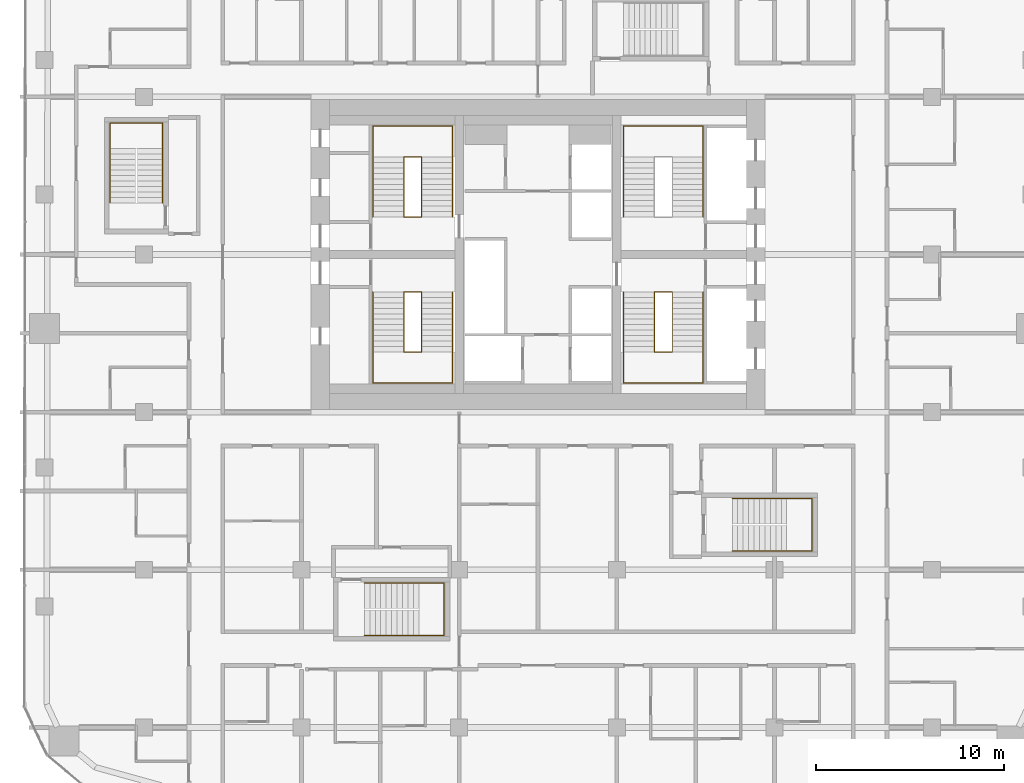
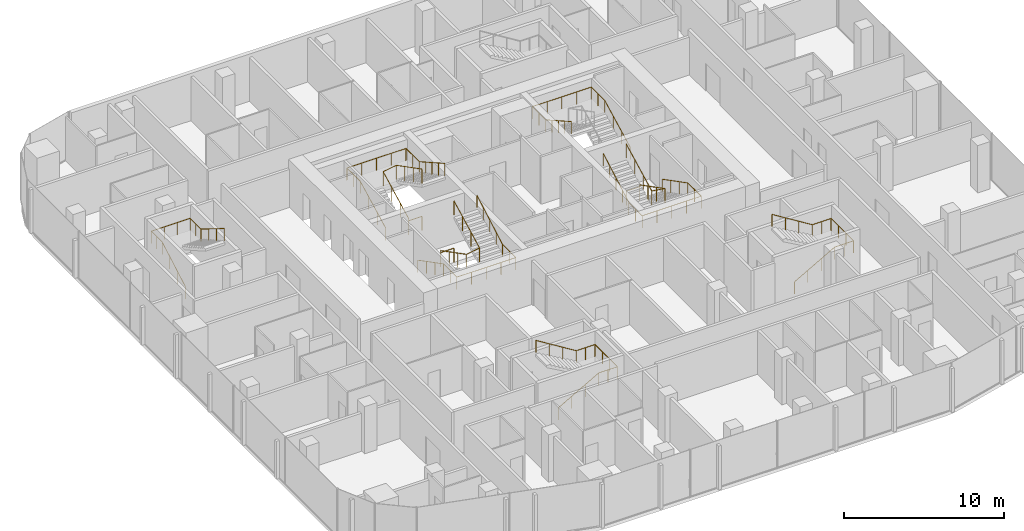
# One storey, part 22 of 23: 10 railings.
"""IFC4 building model written with IfcOpenShell, lengths in metres."""

from ifc_helpers import new_model, si_unit, direction, frame, origin, origin_2d, place, context, subcontext, project, spatial, circle, extrude, material, type_object, element, save


model = new_model("IFC4")

# Units and contexts
model_context = context("Model", 3, precision=1e-05, world=origin(), true_north=direction((0.0, 1.0)))
body_context = subcontext(model_context, "Body", "Model", "MODEL_VIEW")
ifc_project = project(units=[si_unit("LENGTHUNIT", "METRE"), si_unit("AREAUNIT", "SQUARE_METRE"), si_unit("VOLUMEUNIT", "CUBIC_METRE"), si_unit("PLANEANGLEUNIT", "RADIAN"), si_unit("MASSUNIT", "GRAM", prefix="KILO")], contexts=[model_context])

# Site, building, storey
site_placement = place(None, origin())
site = spatial("IfcSite", under=ifc_project, at=site_placement, CompositionType="ELEMENT")
building_placement = place(site_placement, origin())
building = spatial("IfcBuilding", under=site, at=building_placement, Name="Marenta Gate Hotel Tower", CompositionType="ELEMENT")
storey_placement = place(building_placement, frame((0.0, 0.0, 119.300048828125)))
storey = spatial("IfcBuildingStorey", under=building, at=storey_placement, Name="L26", CompositionType="ELEMENT", Elevation=119.300048828125)

# Railings
ifc_material_1 = material(Name="Stainless steel", Category="steel")
railing_type_1 = type_object("IfcRailingType", Name="Core stair handrail 950", PredefinedType="HANDRAIL", material=ifc_material_1)
railing_1_placement = place(storey_placement, frame((-8.800048828125, 6.39990234375, 0.14990234375)))
element("IfcRailing", 1, at=railing_1_placement, inside=storey, type_object=railing_type_1, Name="HR-950 L26-KR-ST1-1", PredefinedType="HANDRAIL", context=body_context, shape_type="SweptSolid", body=[
    extrude(circle(Radius=0.02392578125, at=origin_2d()), frame((0.0, 0.0, 0.92578125), z_axis=(0.0, -0.888197555067, 0.459461753765), x_axis=(1.0, 0.0, 0.0)), (0.0, 0.0, 1.0), 3.591552734375),
    extrude(circle(Radius=0.02392578125, at=origin_2d()), frame((0.0, -3.18994140625, 2.576171875), z_axis=(0.0, -1.0, 0.0), x_axis=(1.0, 0.0, 0.0)), (0.0, 0.0, 1.0), 1.659912109375),
    extrude(circle(Radius=0.02392578125, at=origin_2d()), frame((0.0, -4.849853515625, 2.576171875), z_axis=(1.0, 0.0, 0.0), x_axis=(0.0, 1.0, 0.0)), (0.0, 0.0, 1.0), 4.25),
    extrude(circle(Radius=0.02392578125, at=origin_2d()), frame((4.25, -4.849853515625, 2.576171875), z_axis=(0.0, 1.0, 0.0), x_axis=(-1.0, 0.0, 0.0)), (0.0, 0.0, 1.0), 1.659912109375),
    extrude(circle(Radius=0.02392578125, at=origin_2d()), frame((4.25, -3.18994140625, 2.576171875), z_axis=(0.0, 0.870937506535, 0.491393792911), x_axis=(-1.0, 0.0, 0.0)), (0.0, 0.0, 1.0), 3.66259765625),
    extrude(circle(Radius=0.02099609375, at=origin_2d()), origin(), (0.0, 0.0, 1.0), 0.90185546875),
    extrude(circle(Radius=0.02099609375, at=origin_2d()), frame((0.0, -1.063232421875, 0.550048828125)), (0.0, 0.0, 1.0), 0.90185546875),
    extrude(circle(Radius=0.02099609375, at=origin_2d()), frame((0.0, -2.126708984375, 1.10009765625)), (0.0, 0.0, 1.0), 0.90185546875),
    extrude(circle(Radius=0.02099609375, at=origin_2d()), frame((0.0, -3.18994140625, 1.650146484375)), (0.0, 0.0, 1.0), 0.90185546875),
    extrude(circle(Radius=0.02099609375, at=origin_2d()), frame((0.0, -4.02001953125, 1.650146484375)), (0.0, 0.0, 1.0), 0.90185546875),
    extrude(circle(Radius=0.02099609375, at=origin_2d()), frame((0.0, -4.849853515625, 1.650146484375)), (0.0, 0.0, 1.0), 0.90185546875),
    extrude(circle(Radius=0.02099609375, at=origin_2d()), frame((1.0625, -4.849853515625, 1.650146484375)), (0.0, 0.0, 1.0), 0.90185546875),
    extrude(circle(Radius=0.02099609375, at=origin_2d()), frame((2.125, -4.849853515625, 1.650146484375)), (0.0, 0.0, 1.0), 0.90185546875),
    extrude(circle(Radius=0.02099609375, at=origin_2d()), frame((3.1875, -4.849853515625, 1.650146484375)), (0.0, 0.0, 1.0), 0.90185546875),
    extrude(circle(Radius=0.02099609375, at=origin_2d()), frame((4.25, -4.849853515625, 1.650146484375)), (0.0, 0.0, 1.0), 0.90185546875),
    extrude(circle(Radius=0.02099609375, at=origin_2d()), frame((4.25, -4.02001953125, 1.650146484375)), (0.0, 0.0, 1.0), 0.90185546875),
    extrude(circle(Radius=0.02099609375, at=origin_2d()), frame((4.25, -3.18994140625, 1.650146484375)), (0.0, 0.0, 1.0), 0.90185546875),
    extrude(circle(Radius=0.02099609375, at=origin_2d()), frame((4.25, -2.392578125, 2.10009765625)), (0.0, 0.0, 1.0), 0.90185546875),
    extrude(circle(Radius=0.02099609375, at=origin_2d()), frame((4.25, -1.594970703125, 2.550048828125)), (0.0, 0.0, 1.0), 0.90185546875),
    extrude(circle(Radius=0.02099609375, at=origin_2d()), frame((4.25, -0.79736328125, 3.0)), (0.0, 0.0, 1.0), 0.90185546875),
    extrude(circle(Radius=0.02099609375, at=origin_2d()), frame((4.25, 0.0, 3.449951171875)), (0.0, 0.0, 1.0), 0.90185546875),
])
railing_2_placement = place(storey_placement, frame((-8.800048828125, 10.39990234375, 0.14990234375)))
element("IfcRailing", 2, at=railing_2_placement, inside=storey, type_object=railing_type_1, Name="HR-950 L26-KR-ST2-1", PredefinedType="HANDRAIL", context=body_context, shape_type="SweptSolid", body=[
    extrude(circle(Radius=0.02392578125, at=origin_2d()), frame((0.0, 0.0, 0.92578125), z_axis=(0.0, 0.888211904222, 0.459434013977), x_axis=(-1.0, 0.0, 0.0)), (0.0, 0.0, 1.0), 3.591796875),
    extrude(circle(Radius=0.02392578125, at=origin_2d()), frame((0.0, 3.190185546875, 2.576171875), z_axis=(0.0, 1.0, 0.0), x_axis=(-1.0, 0.0, 0.0)), (0.0, 0.0, 1.0), 1.659912109375),
    extrude(circle(Radius=0.02392578125, at=origin_2d()), frame((0.0, 4.85009765625, 2.576171875), z_axis=(1.0, 0.0, 0.0), x_axis=(0.0, 1.0, 0.0)), (0.0, 0.0, 1.0), 4.25),
    extrude(circle(Radius=0.02392578125, at=origin_2d()), frame((4.25, 4.85009765625, 2.576171875), z_axis=(0.0, -1.0, 0.0), x_axis=(1.0, 0.0, 0.0)), (0.0, 0.0, 1.0), 1.659912109375),
    extrude(circle(Radius=0.02392578125, at=origin_2d()), frame((4.25, 3.190185546875, 2.576171875), z_axis=(0.0, -0.870953600603, 0.491365266982), x_axis=(1.0, 0.0, 0.0)), (0.0, 0.0, 1.0), 3.662841796875),
    extrude(circle(Radius=0.02099609375, at=origin_2d()), origin(), (0.0, 0.0, 1.0), 0.90185546875),
    extrude(circle(Radius=0.02099609375, at=origin_2d()), frame((0.0, 1.0634765625, 0.550048828125)), (0.0, 0.0, 1.0), 0.90185546875),
    extrude(circle(Radius=0.02099609375, at=origin_2d()), frame((0.0, 2.126708984375, 1.10009765625)), (0.0, 0.0, 1.0), 0.90185546875),
    extrude(circle(Radius=0.02099609375, at=origin_2d()), frame((0.0, 3.190185546875, 1.650146484375)), (0.0, 0.0, 1.0), 0.90185546875),
    extrude(circle(Radius=0.02099609375, at=origin_2d()), frame((0.0, 4.02001953125, 1.650146484375)), (0.0, 0.0, 1.0), 0.90185546875),
    extrude(circle(Radius=0.02099609375, at=origin_2d()), frame((0.0, 4.85009765625, 1.650146484375)), (0.0, 0.0, 1.0), 0.90185546875),
    extrude(circle(Radius=0.02099609375, at=origin_2d()), frame((1.0625, 4.85009765625, 1.650146484375)), (0.0, 0.0, 1.0), 0.90185546875),
    extrude(circle(Radius=0.02099609375, at=origin_2d()), frame((2.125, 4.85009765625, 1.650146484375)), (0.0, 0.0, 1.0), 0.90185546875),
    extrude(circle(Radius=0.02099609375, at=origin_2d()), frame((3.1875, 4.85009765625, 1.650146484375)), (0.0, 0.0, 1.0), 0.90185546875),
    extrude(circle(Radius=0.02099609375, at=origin_2d()), frame((4.25, 4.85009765625, 1.650146484375)), (0.0, 0.0, 1.0), 0.90185546875),
    extrude(circle(Radius=0.02099609375, at=origin_2d()), frame((4.25, 4.02001953125, 1.650146484375)), (0.0, 0.0, 1.0), 0.90185546875),
    extrude(circle(Radius=0.02099609375, at=origin_2d()), frame((4.25, 3.190185546875, 1.650146484375)), (0.0, 0.0, 1.0), 0.90185546875),
    extrude(circle(Radius=0.02099609375, at=origin_2d()), frame((4.25, 2.392578125, 2.10009765625)), (0.0, 0.0, 1.0), 0.90185546875),
    extrude(circle(Radius=0.02099609375, at=origin_2d()), frame((4.25, 1.59521484375, 2.550048828125)), (0.0, 0.0, 1.0), 0.90185546875),
    extrude(circle(Radius=0.02099609375, at=origin_2d()), frame((4.25, 0.797607421875, 3.0)), (0.0, 0.0, 1.0), 0.90185546875),
    extrude(circle(Radius=0.02099609375, at=origin_2d()), frame((4.25, 0.0, 3.449951171875)), (0.0, 0.0, 1.0), 0.90185546875),
])
railing_3_placement = place(storey_placement, frame((8.800048828125, 6.39990234375, 0.14990234375)))
element("IfcRailing", 3, at=railing_3_placement, inside=storey, type_object=railing_type_1, Name="HR-950 L26-KR-ST3-1", PredefinedType="HANDRAIL", context=body_context, shape_type="SweptSolid", body=[
    extrude(circle(Radius=0.02392578125, at=origin_2d()), frame((0.0, 0.0, 0.92578125), z_axis=(0.0, -0.888197555067, 0.459461753765), x_axis=(1.0, 0.0, 0.0)), (0.0, 0.0, 1.0), 3.591552734375),
    extrude(circle(Radius=0.02392578125, at=origin_2d()), frame((0.0, -3.18994140625, 2.576171875), z_axis=(0.0, -1.0, 0.0), x_axis=(1.0, 0.0, 0.0)), (0.0, 0.0, 1.0), 1.659912109375),
    extrude(circle(Radius=0.02392578125, at=origin_2d()), frame((0.0, -4.849853515625, 2.576171875), z_axis=(-1.0, 0.0, 0.0), x_axis=(0.0, -1.0, 0.0)), (0.0, 0.0, 1.0), 4.25),
    extrude(circle(Radius=0.02392578125, at=origin_2d()), frame((-4.25, -4.849853515625, 2.576171875), z_axis=(0.0, 1.0, 0.0), x_axis=(-1.0, 0.0, 0.0)), (0.0, 0.0, 1.0), 1.659912109375),
    extrude(circle(Radius=0.02392578125, at=origin_2d()), frame((-4.25, -3.18994140625, 2.576171875), z_axis=(0.0, 0.870937506535, 0.491393792911), x_axis=(-1.0, 0.0, 0.0)), (0.0, 0.0, 1.0), 3.66259765625),
    extrude(circle(Radius=0.02099609375, at=origin_2d()), origin(), (0.0, 0.0, 1.0), 0.90185546875),
    extrude(circle(Radius=0.02099609375, at=origin_2d()), frame((0.0, -1.063232421875, 0.550048828125)), (0.0, 0.0, 1.0), 0.90185546875),
    extrude(circle(Radius=0.02099609375, at=origin_2d()), frame((0.0, -2.126708984375, 1.10009765625)), (0.0, 0.0, 1.0), 0.90185546875),
    extrude(circle(Radius=0.02099609375, at=origin_2d()), frame((0.0, -3.18994140625, 1.650146484375)), (0.0, 0.0, 1.0), 0.90185546875),
    extrude(circle(Radius=0.02099609375, at=origin_2d()), frame((0.0, -4.02001953125, 1.650146484375)), (0.0, 0.0, 1.0), 0.90185546875),
    extrude(circle(Radius=0.02099609375, at=origin_2d()), frame((0.0, -4.849853515625, 1.650146484375)), (0.0, 0.0, 1.0), 0.90185546875),
    extrude(circle(Radius=0.02099609375, at=origin_2d()), frame((-1.0625, -4.849853515625, 1.650146484375)), (0.0, 0.0, 1.0), 0.90185546875),
    extrude(circle(Radius=0.02099609375, at=origin_2d()), frame((-2.125, -4.849853515625, 1.650146484375)), (0.0, 0.0, 1.0), 0.90185546875),
    extrude(circle(Radius=0.02099609375, at=origin_2d()), frame((-3.1875, -4.849853515625, 1.650146484375)), (0.0, 0.0, 1.0), 0.90185546875),
    extrude(circle(Radius=0.02099609375, at=origin_2d()), frame((-4.25, -4.849853515625, 1.650146484375)), (0.0, 0.0, 1.0), 0.90185546875),
    extrude(circle(Radius=0.02099609375, at=origin_2d()), frame((-4.25, -4.02001953125, 1.650146484375)), (0.0, 0.0, 1.0), 0.90185546875),
    extrude(circle(Radius=0.02099609375, at=origin_2d()), frame((-4.25, -3.18994140625, 1.650146484375)), (0.0, 0.0, 1.0), 0.90185546875),
    extrude(circle(Radius=0.02099609375, at=origin_2d()), frame((-4.25, -2.392578125, 2.10009765625)), (0.0, 0.0, 1.0), 0.90185546875),
    extrude(circle(Radius=0.02099609375, at=origin_2d()), frame((-4.25, -1.594970703125, 2.550048828125)), (0.0, 0.0, 1.0), 0.90185546875),
    extrude(circle(Radius=0.02099609375, at=origin_2d()), frame((-4.25, -0.79736328125, 3.0)), (0.0, 0.0, 1.0), 0.90185546875),
    extrude(circle(Radius=0.02099609375, at=origin_2d()), frame((-4.25, 0.0, 3.449951171875)), (0.0, 0.0, 1.0), 0.90185546875),
])
railing_4_placement = place(storey_placement, frame((8.800048828125, 10.39990234375, 0.14990234375)))
element("IfcRailing", 4, at=railing_4_placement, inside=storey, type_object=railing_type_1, Name="HR-950 L26-KR-ST4-1", PredefinedType="HANDRAIL", context=body_context, shape_type="SweptSolid", body=[
    extrude(circle(Radius=0.02392578125, at=origin_2d()), frame((0.0, 0.0, 0.92578125), z_axis=(0.0, 0.888211904222, 0.459434013977), x_axis=(-1.0, 0.0, 0.0)), (0.0, 0.0, 1.0), 3.591796875),
    extrude(circle(Radius=0.02392578125, at=origin_2d()), frame((0.0, 3.190185546875, 2.576171875), z_axis=(0.0, 1.0, 0.0), x_axis=(-1.0, 0.0, 0.0)), (0.0, 0.0, 1.0), 1.659912109375),
    extrude(circle(Radius=0.02392578125, at=origin_2d()), frame((0.0, 4.85009765625, 2.576171875), z_axis=(-1.0, 0.0, 0.0), x_axis=(0.0, -1.0, 0.0)), (0.0, 0.0, 1.0), 4.25),
    extrude(circle(Radius=0.02392578125, at=origin_2d()), frame((-4.25, 4.85009765625, 2.576171875), z_axis=(0.0, -1.0, 0.0), x_axis=(1.0, 0.0, 0.0)), (0.0, 0.0, 1.0), 1.659912109375),
    extrude(circle(Radius=0.02392578125, at=origin_2d()), frame((-4.25, 3.190185546875, 2.576171875), z_axis=(0.0, -0.870953600603, 0.491365266982), x_axis=(1.0, 0.0, 0.0)), (0.0, 0.0, 1.0), 3.662841796875),
    extrude(circle(Radius=0.02099609375, at=origin_2d()), origin(), (0.0, 0.0, 1.0), 0.90185546875),
    extrude(circle(Radius=0.02099609375, at=origin_2d()), frame((0.0, 1.0634765625, 0.550048828125)), (0.0, 0.0, 1.0), 0.90185546875),
    extrude(circle(Radius=0.02099609375, at=origin_2d()), frame((0.0, 2.126708984375, 1.10009765625)), (0.0, 0.0, 1.0), 0.90185546875),
    extrude(circle(Radius=0.02099609375, at=origin_2d()), frame((0.0, 3.190185546875, 1.650146484375)), (0.0, 0.0, 1.0), 0.90185546875),
    extrude(circle(Radius=0.02099609375, at=origin_2d()), frame((0.0, 4.02001953125, 1.650146484375)), (0.0, 0.0, 1.0), 0.90185546875),
    extrude(circle(Radius=0.02099609375, at=origin_2d()), frame((0.0, 4.85009765625, 1.650146484375)), (0.0, 0.0, 1.0), 0.90185546875),
    extrude(circle(Radius=0.02099609375, at=origin_2d()), frame((-1.0625, 4.85009765625, 1.650146484375)), (0.0, 0.0, 1.0), 0.90185546875),
    extrude(circle(Radius=0.02099609375, at=origin_2d()), frame((-2.125, 4.85009765625, 1.650146484375)), (0.0, 0.0, 1.0), 0.90185546875),
    extrude(circle(Radius=0.02099609375, at=origin_2d()), frame((-3.1875, 4.85009765625, 1.650146484375)), (0.0, 0.0, 1.0), 0.90185546875),
    extrude(circle(Radius=0.02099609375, at=origin_2d()), frame((-4.25, 4.85009765625, 1.650146484375)), (0.0, 0.0, 1.0), 0.90185546875),
    extrude(circle(Radius=0.02099609375, at=origin_2d()), frame((-4.25, 4.02001953125, 1.650146484375)), (0.0, 0.0, 1.0), 0.90185546875),
    extrude(circle(Radius=0.02099609375, at=origin_2d()), frame((-4.25, 3.190185546875, 1.650146484375)), (0.0, 0.0, 1.0), 0.90185546875),
    extrude(circle(Radius=0.02099609375, at=origin_2d()), frame((-4.25, 2.392578125, 2.10009765625)), (0.0, 0.0, 1.0), 0.90185546875),
    extrude(circle(Radius=0.02099609375, at=origin_2d()), frame((-4.25, 1.59521484375, 2.550048828125)), (0.0, 0.0, 1.0), 0.90185546875),
    extrude(circle(Radius=0.02099609375, at=origin_2d()), frame((-4.25, 0.797607421875, 3.0)), (0.0, 0.0, 1.0), 0.90185546875),
    extrude(circle(Radius=0.02099609375, at=origin_2d()), frame((-4.25, 0.0, 3.449951171875)), (0.0, 0.0, 1.0), 0.90185546875),
])
railing_5_placement = place(storey_placement, frame((-22.800048828125, 11.14990234375, 0.16357421875)))
element("IfcRailing", 5, at=railing_5_placement, inside=storey, type_object=railing_type_1, Name="HR-950 L26-RS-Z1-3-KR-1", PredefinedType="HANDRAIL", context=body_context, shape_type="SweptSolid", body=[
    extrude(circle(Radius=0.02392578125, at=origin_2d()), frame((0.0, 0.0, 0.92578125), z_axis=(0.0, 0.870914908162, 0.491433843708), x_axis=(-1.0, 0.0, 0.0)), (0.0, 0.0, 1.0), 3.330078125),
    extrude(circle(Radius=0.02392578125, at=origin_2d()), frame((0.0, 2.900146484375, 2.5625), z_axis=(0.0, 1.0, 0.0), x_axis=(-1.0, 0.0, 0.0)), (0.0, 0.0, 1.0), 1.349853515625),
    extrude(circle(Radius=0.02392578125, at=origin_2d()), frame((0.0, 4.25, 2.5625), z_axis=(1.0, 0.0, 0.0), x_axis=(0.0, 1.0, 0.0)), (0.0, 0.0, 1.0), 2.800048828125),
    extrude(circle(Radius=0.02392578125, at=origin_2d()), frame((2.800048828125, 4.25, 2.5625), z_axis=(0.0, -1.0, 0.0), x_axis=(1.0, 0.0, 0.0)), (0.0, 0.0, 1.0), 1.349853515625),
    extrude(circle(Radius=0.02392578125, at=origin_2d()), frame((2.800048828125, 2.900146484375, 2.5625), z_axis=(0.0, -0.849677739116, 0.527302322819), x_axis=(1.0, 0.0, 0.0)), (0.0, 0.0, 1.0), 3.413330078125),
    extrude(circle(Radius=0.02099609375, at=origin_2d()), origin(), (0.0, 0.0, 1.0), 0.90185546875),
    extrude(circle(Radius=0.02099609375, at=origin_2d()), frame((0.0, 0.966796875, 0.54541015625)), (0.0, 0.0, 1.0), 0.90185546875),
    extrude(circle(Radius=0.02099609375, at=origin_2d()), frame((0.0, 1.933349609375, 1.091064453125)), (0.0, 0.0, 1.0), 0.90185546875),
    extrude(circle(Radius=0.02099609375, at=origin_2d()), frame((0.0, 2.900146484375, 1.636474609375)), (0.0, 0.0, 1.0), 0.90185546875),
    extrude(circle(Radius=0.02099609375, at=origin_2d()), frame((0.0, 3.5751953125, 1.636474609375)), (0.0, 0.0, 1.0), 0.90185546875),
    extrude(circle(Radius=0.02099609375, at=origin_2d()), frame((0.0, 4.25, 1.636474609375)), (0.0, 0.0, 1.0), 0.90185546875),
    extrude(circle(Radius=0.02099609375, at=origin_2d()), frame((0.933349609375, 4.25, 1.636474609375)), (0.0, 0.0, 1.0), 0.90185546875),
    extrude(circle(Radius=0.02099609375, at=origin_2d()), frame((1.86669921875, 4.25, 1.636474609375)), (0.0, 0.0, 1.0), 0.90185546875),
    extrude(circle(Radius=0.02099609375, at=origin_2d()), frame((2.800048828125, 4.25, 1.636474609375)), (0.0, 0.0, 1.0), 0.90185546875),
    extrude(circle(Radius=0.02099609375, at=origin_2d()), frame((2.800048828125, 3.5751953125, 1.636474609375)), (0.0, 0.0, 1.0), 0.90185546875),
    extrude(circle(Radius=0.02099609375, at=origin_2d()), frame((2.800048828125, 2.900146484375, 1.636474609375)), (0.0, 0.0, 1.0), 0.90185546875),
    extrude(circle(Radius=0.02099609375, at=origin_2d()), frame((2.800048828125, 1.933349609375, 2.236328125)), (0.0, 0.0, 1.0), 0.90185546875),
    extrude(circle(Radius=0.02099609375, at=origin_2d()), frame((2.800048828125, 0.966796875, 2.83642578125)), (0.0, 0.0, 1.0), 0.90185546875),
    extrude(circle(Radius=0.02099609375, at=origin_2d()), frame((2.800048828125, 0.0, 3.436279296875)), (0.0, 0.0, 1.0), 0.90185546875),
])
railing_6_placement = place(storey_placement, frame((-9.25, -11.89990234375, 0.16357421875)))
element("IfcRailing", 6, at=railing_6_placement, inside=storey, type_object=railing_type_1, Name="HR-950 L26-RS-Z2-1-KR-1", PredefinedType="HANDRAIL", context=body_context, shape_type="SweptSolid", body=[
    extrude(circle(Radius=0.02392578125, at=origin_2d()), frame((0.0, 0.0, 0.92578125), z_axis=(0.870897200241, 0.0, 0.491465224214), x_axis=(0.0, 1.0, 0.0)), (0.0, 0.0, 1.0), 3.329833984375),
    extrude(circle(Radius=0.02392578125, at=origin_2d()), frame((2.89990234375, 0.0, 2.5625), z_axis=(1.0, 0.0, 0.0), x_axis=(0.0, 1.0, 0.0)), (0.0, 0.0, 1.0), 1.35009765625),
    extrude(circle(Radius=0.02392578125, at=origin_2d()), frame((4.25, 0.0, 2.5625), z_axis=(0.0, 1.0, 0.0), x_axis=(-1.0, 0.0, 0.0)), (0.0, 0.0, 1.0), 2.7998046875),
    extrude(circle(Radius=0.02392578125, at=origin_2d()), frame((4.25, 2.7998046875, 2.5625), z_axis=(-1.0, 0.0, 0.0), x_axis=(0.0, -1.0, 0.0)), (0.0, 0.0, 1.0), 1.35009765625),
    extrude(circle(Radius=0.02392578125, at=origin_2d()), frame((2.89990234375, 2.7998046875, 2.5625), z_axis=(-0.849657849183, 0.0, 0.527334371458), x_axis=(0.0, -1.0, 0.0)), (0.0, 0.0, 1.0), 3.4130859375),
    extrude(circle(Radius=0.02099609375, at=origin_2d()), origin(), (0.0, 0.0, 1.0), 0.90185546875),
    extrude(circle(Radius=0.02099609375, at=origin_2d()), frame((0.966552734375, 0.0, 0.54541015625)), (0.0, 0.0, 1.0), 0.90185546875),
    extrude(circle(Radius=0.02099609375, at=origin_2d()), frame((1.933349609375, 0.0, 1.091064453125)), (0.0, 0.0, 1.0), 0.90185546875),
    extrude(circle(Radius=0.02099609375, at=origin_2d()), frame((2.89990234375, 0.0, 1.636474609375)), (0.0, 0.0, 1.0), 0.90185546875),
    extrude(circle(Radius=0.02099609375, at=origin_2d()), frame((3.574951171875, 0.0, 1.636474609375)), (0.0, 0.0, 1.0), 0.90185546875),
    extrude(circle(Radius=0.02099609375, at=origin_2d()), frame((4.25, 0.0, 1.636474609375)), (0.0, 0.0, 1.0), 0.90185546875),
    extrude(circle(Radius=0.02099609375, at=origin_2d()), frame((4.25, 0.933349609375, 1.636474609375)), (0.0, 0.0, 1.0), 0.90185546875),
    extrude(circle(Radius=0.02099609375, at=origin_2d()), frame((4.25, 1.866455078125, 1.636474609375)), (0.0, 0.0, 1.0), 0.90185546875),
    extrude(circle(Radius=0.02099609375, at=origin_2d()), frame((4.25, 2.7998046875, 1.636474609375)), (0.0, 0.0, 1.0), 0.90185546875),
    extrude(circle(Radius=0.02099609375, at=origin_2d()), frame((3.574951171875, 2.7998046875, 1.636474609375)), (0.0, 0.0, 1.0), 0.90185546875),
    extrude(circle(Radius=0.02099609375, at=origin_2d()), frame((2.89990234375, 2.7998046875, 1.636474609375)), (0.0, 0.0, 1.0), 0.90185546875),
    extrude(circle(Radius=0.02099609375, at=origin_2d()), frame((1.933349609375, 2.7998046875, 2.236328125)), (0.0, 0.0, 1.0), 0.90185546875),
    extrude(circle(Radius=0.02099609375, at=origin_2d()), frame((0.966552734375, 2.7998046875, 2.83642578125)), (0.0, 0.0, 1.0), 0.90185546875),
    extrude(circle(Radius=0.02099609375, at=origin_2d()), frame((0.0, 2.7998046875, 3.436279296875)), (0.0, 0.0, 1.0), 0.90185546875),
])
railing_7_placement = place(storey_placement, frame((10.35009765625, -7.39990234375, 0.16357421875)))
element("IfcRailing", 7, at=railing_7_placement, inside=storey, type_object=railing_type_1, Name="HR-950 L26-RS-Z2-2-KR-1", PredefinedType="HANDRAIL", context=body_context, shape_type="SweptSolid", body=[
    extrude(circle(Radius=0.02392578125, at=origin_2d()), frame((0.0, 0.0, 0.92578125), z_axis=(0.870897200241, 0.0, 0.491465224214), x_axis=(0.0, 1.0, 0.0)), (0.0, 0.0, 1.0), 3.329833984375),
    extrude(circle(Radius=0.02392578125, at=origin_2d()), frame((2.89990234375, 0.0, 2.5625), z_axis=(1.0, 0.0, 0.0), x_axis=(0.0, 1.0, 0.0)), (0.0, 0.0, 1.0), 1.35009765625),
    extrude(circle(Radius=0.02392578125, at=origin_2d()), frame((4.25, 0.0, 2.5625), z_axis=(0.0, 1.0, 0.0), x_axis=(-1.0, 0.0, 0.0)), (0.0, 0.0, 1.0), 2.7998046875),
    extrude(circle(Radius=0.02392578125, at=origin_2d()), frame((4.25, 2.7998046875, 2.5625), z_axis=(-1.0, 0.0, 0.0), x_axis=(0.0, -1.0, 0.0)), (0.0, 0.0, 1.0), 1.35009765625),
    extrude(circle(Radius=0.02392578125, at=origin_2d()), frame((2.89990234375, 2.7998046875, 2.5625), z_axis=(-0.849657849183, 0.0, 0.527334371458), x_axis=(0.0, -1.0, 0.0)), (0.0, 0.0, 1.0), 3.4130859375),
    extrude(circle(Radius=0.02099609375, at=origin_2d()), origin(), (0.0, 0.0, 1.0), 0.90185546875),
    extrude(circle(Radius=0.02099609375, at=origin_2d()), frame((0.966552734375, 0.0, 0.54541015625)), (0.0, 0.0, 1.0), 0.90185546875),
    extrude(circle(Radius=0.02099609375, at=origin_2d()), frame((1.933349609375, 0.0, 1.091064453125)), (0.0, 0.0, 1.0), 0.90185546875),
    extrude(circle(Radius=0.02099609375, at=origin_2d()), frame((2.89990234375, 0.0, 1.636474609375)), (0.0, 0.0, 1.0), 0.90185546875),
    extrude(circle(Radius=0.02099609375, at=origin_2d()), frame((3.574951171875, 0.0, 1.636474609375)), (0.0, 0.0, 1.0), 0.90185546875),
    extrude(circle(Radius=0.02099609375, at=origin_2d()), frame((4.25, 0.0, 1.636474609375)), (0.0, 0.0, 1.0), 0.90185546875),
    extrude(circle(Radius=0.02099609375, at=origin_2d()), frame((4.25, 0.933349609375, 1.636474609375)), (0.0, 0.0, 1.0), 0.90185546875),
    extrude(circle(Radius=0.02099609375, at=origin_2d()), frame((4.25, 1.866455078125, 1.636474609375)), (0.0, 0.0, 1.0), 0.90185546875),
    extrude(circle(Radius=0.02099609375, at=origin_2d()), frame((4.25, 2.7998046875, 1.636474609375)), (0.0, 0.0, 1.0), 0.90185546875),
    extrude(circle(Radius=0.02099609375, at=origin_2d()), frame((3.574951171875, 2.7998046875, 1.636474609375)), (0.0, 0.0, 1.0), 0.90185546875),
    extrude(circle(Radius=0.02099609375, at=origin_2d()), frame((2.89990234375, 2.7998046875, 1.636474609375)), (0.0, 0.0, 1.0), 0.90185546875),
    extrude(circle(Radius=0.02099609375, at=origin_2d()), frame((1.933349609375, 2.7998046875, 2.236328125)), (0.0, 0.0, 1.0), 0.90185546875),
    extrude(circle(Radius=0.02099609375, at=origin_2d()), frame((0.966552734375, 2.7998046875, 2.83642578125)), (0.0, 0.0, 1.0), 0.90185546875),
    extrude(circle(Radius=0.02099609375, at=origin_2d()), frame((0.0, 2.7998046875, 3.436279296875)), (0.0, 0.0, 1.0), 0.90185546875),
])
ifc_material_2 = material(Name="Stainless steel", Category="steel")
railing_type_2 = type_object("IfcRailingType", Name="Core stair well guard 1100", PredefinedType="GUARDRAIL", material=ifc_material_2)
railing_8_placement = place(storey_placement, frame((-6.199951171875, 6.39990234375, 0.0)))
element("IfcRailing", 8, at=railing_8_placement, inside=storey, type_object=railing_type_2, Name="GR-1100 L26-KR-ST1-2", PredefinedType="GUARDRAIL", context=body_context, shape_type="SweptSolid", body=[
    extrude(circle(Radius=0.02392578125, at=origin_2d()), frame((0.0, 0.0, 1.076171875), z_axis=(-1.0, 0.0, 0.0), x_axis=(0.0, -1.0, 0.0)), (0.0, 0.0, 1.0), 0.949951171875),
    extrude(circle(Radius=0.02392578125, at=origin_2d()), frame((-0.949951171875, 0.0, 1.076171875), z_axis=(0.0, 0.0, 1.0), x_axis=(1.0, 0.0, 0.0)), (0.0, 0.0, 1.0), 0.14990234375),
    extrude(circle(Radius=0.02392578125, at=origin_2d()), frame((-0.949951171875, 0.0, 1.22607421875), z_axis=(0.0, -0.888197555067, 0.459461753765), x_axis=(1.0, 0.0, 0.0)), (0.0, 0.0, 1.0), 3.591552734375),
    extrude(circle(Radius=0.02392578125, at=origin_2d()), frame((-0.949951171875, -3.18994140625, 2.8759765625), z_axis=(0.987777369502, 0.0, 0.15587131968), x_axis=(0.0, 1.0, 0.0)), (0.0, 0.0, 1.0), 0.961669921875),
    extrude(circle(Radius=0.02392578125, at=origin_2d()), frame((0.0, -3.18994140625, 3.02587890625), z_axis=(0.0, 0.888225295554, 0.459408123936), x_axis=(-1.0, 0.0, 0.0)), (0.0, 0.0, 1.0), 3.59130859375),
    extrude(circle(Radius=0.02099609375, at=origin_2d()), origin(), (0.0, 0.0, 1.0), 1.052001953125),
    extrude(circle(Radius=0.02099609375, at=origin_2d()), frame((-0.949951171875, 0.0, 0.0)), (0.0, 0.0, 1.0), 1.052001953125),
    extrude(circle(Radius=0.02099609375, at=origin_2d()), frame((-0.949951171875, 0.0, 0.14990234375)), (0.0, 0.0, 1.0), 1.052001953125),
    extrude(circle(Radius=0.02099609375, at=origin_2d()), frame((-0.949951171875, -1.063232421875, 0.699951171875)), (0.0, 0.0, 1.0), 1.052001953125),
    extrude(circle(Radius=0.02099609375, at=origin_2d()), frame((-0.949951171875, -2.126708984375, 1.25)), (0.0, 0.0, 1.0), 1.052001953125),
    extrude(circle(Radius=0.02099609375, at=origin_2d()), frame((-0.949951171875, -3.18994140625, 1.800048828125)), (0.0, 0.0, 1.0), 1.052001953125),
    extrude(circle(Radius=0.02099609375, at=origin_2d()), frame((0.0, -3.18994140625, 1.949951171875)), (0.0, 0.0, 1.0), 1.052001953125),
    extrude(circle(Radius=0.02099609375, at=origin_2d()), frame((0.0, -2.126708984375, 2.5)), (0.0, 0.0, 1.0), 1.052001953125),
    extrude(circle(Radius=0.02099609375, at=origin_2d()), frame((0.0, -1.063232421875, 3.0498046875)), (0.0, 0.0, 1.0), 1.052001953125),
    extrude(circle(Radius=0.02099609375, at=origin_2d()), frame((0.0, 0.0, 3.599853515625)), (0.0, 0.0, 1.0), 1.052001953125),
])
railing_9_placement = place(storey_placement, frame((-6.199951171875, 10.39990234375, 0.0)))
element("IfcRailing", 9, at=railing_9_placement, inside=storey, type_object=railing_type_2, Name="GR-1100 L26-KR-ST2-2", PredefinedType="GUARDRAIL", context=body_context, shape_type="SweptSolid", body=[
    extrude(circle(Radius=0.02392578125, at=origin_2d()), frame((0.0, 0.0, 1.076171875), z_axis=(-1.0, 0.0, 0.0), x_axis=(0.0, -1.0, 0.0)), (0.0, 0.0, 1.0), 0.949951171875),
    extrude(circle(Radius=0.02392578125, at=origin_2d()), frame((-0.949951171875, 0.0, 1.076171875), z_axis=(0.0, 0.0, 1.0), x_axis=(1.0, 0.0, 0.0)), (0.0, 0.0, 1.0), 0.14990234375),
    extrude(circle(Radius=0.02392578125, at=origin_2d()), frame((-0.949951171875, 0.0, 1.22607421875), z_axis=(0.0, 0.888211904222, 0.459434013977), x_axis=(-1.0, 0.0, 0.0)), (0.0, 0.0, 1.0), 3.591796875),
    extrude(circle(Radius=0.02392578125, at=origin_2d()), frame((-0.949951171875, 3.190185546875, 2.8759765625), z_axis=(0.987777369502, 0.0, 0.15587131968), x_axis=(0.0, 1.0, 0.0)), (0.0, 0.0, 1.0), 0.961669921875),
    extrude(circle(Radius=0.02392578125, at=origin_2d()), frame((0.0, 3.190185546875, 3.02587890625), z_axis=(0.0, -0.888239641807, 0.459380385653), x_axis=(1.0, 0.0, 0.0)), (0.0, 0.0, 1.0), 3.591552734375),
    extrude(circle(Radius=0.02099609375, at=origin_2d()), origin(), (0.0, 0.0, 1.0), 1.052001953125),
    extrude(circle(Radius=0.02099609375, at=origin_2d()), frame((-0.949951171875, 0.0, 0.0)), (0.0, 0.0, 1.0), 1.052001953125),
    extrude(circle(Radius=0.02099609375, at=origin_2d()), frame((-0.949951171875, 0.0, 0.14990234375)), (0.0, 0.0, 1.0), 1.052001953125),
    extrude(circle(Radius=0.02099609375, at=origin_2d()), frame((-0.949951171875, 1.0634765625, 0.699951171875)), (0.0, 0.0, 1.0), 1.052001953125),
    extrude(circle(Radius=0.02099609375, at=origin_2d()), frame((-0.949951171875, 2.126708984375, 1.25)), (0.0, 0.0, 1.0), 1.052001953125),
    extrude(circle(Radius=0.02099609375, at=origin_2d()), frame((-0.949951171875, 3.190185546875, 1.800048828125)), (0.0, 0.0, 1.0), 1.052001953125),
    extrude(circle(Radius=0.02099609375, at=origin_2d()), frame((0.0, 3.190185546875, 1.949951171875)), (0.0, 0.0, 1.0), 1.052001953125),
    extrude(circle(Radius=0.02099609375, at=origin_2d()), frame((0.0, 2.126708984375, 2.5)), (0.0, 0.0, 1.0), 1.052001953125),
    extrude(circle(Radius=0.02099609375, at=origin_2d()), frame((0.0, 1.0634765625, 3.0498046875)), (0.0, 0.0, 1.0), 1.052001953125),
    extrude(circle(Radius=0.02099609375, at=origin_2d()), frame((0.0, 0.0, 3.599853515625)), (0.0, 0.0, 1.0), 1.052001953125),
])
railing_10_placement = place(storey_placement, frame((6.199951171875, 6.39990234375, 0.0)))
element("IfcRailing", 10, at=railing_10_placement, inside=storey, type_object=railing_type_2, Name="GR-1100 L26-KR-ST3-2", PredefinedType="GUARDRAIL", context=body_context, shape_type="SweptSolid", body=[
    extrude(circle(Radius=0.02392578125, at=origin_2d()), frame((0.0, 0.0, 1.076171875), z_axis=(1.0, 0.0, 0.0), x_axis=(0.0, 1.0, 0.0)), (0.0, 0.0, 1.0), 0.949951171875),
    extrude(circle(Radius=0.02392578125, at=origin_2d()), frame((0.949951171875, 0.0, 1.076171875), z_axis=(0.0, 0.0, 1.0), x_axis=(1.0, 0.0, 0.0)), (0.0, 0.0, 1.0), 0.14990234375),
    extrude(circle(Radius=0.02392578125, at=origin_2d()), frame((0.949951171875, 0.0, 1.22607421875), z_axis=(0.0, -0.888197555067, 0.459461753765), x_axis=(1.0, 0.0, 0.0)), (0.0, 0.0, 1.0), 3.591552734375),
    extrude(circle(Radius=0.02392578125, at=origin_2d()), frame((0.949951171875, -3.18994140625, 2.8759765625), z_axis=(-0.987777369502, 0.0, 0.15587131968), x_axis=(0.0, -1.0, 0.0)), (0.0, 0.0, 1.0), 0.961669921875),
    extrude(circle(Radius=0.02392578125, at=origin_2d()), frame((0.0, -3.18994140625, 3.02587890625), z_axis=(0.0, 0.888225295554, 0.459408123936), x_axis=(-1.0, 0.0, 0.0)), (0.0, 0.0, 1.0), 3.59130859375),
    extrude(circle(Radius=0.02099609375, at=origin_2d()), origin(), (0.0, 0.0, 1.0), 1.052001953125),
    extrude(circle(Radius=0.02099609375, at=origin_2d()), frame((0.949951171875, 0.0, 0.0)), (0.0, 0.0, 1.0), 1.052001953125),
    extrude(circle(Radius=0.02099609375, at=origin_2d()), frame((0.949951171875, 0.0, 0.14990234375)), (0.0, 0.0, 1.0), 1.052001953125),
    extrude(circle(Radius=0.02099609375, at=origin_2d()), frame((0.949951171875, -1.063232421875, 0.699951171875)), (0.0, 0.0, 1.0), 1.052001953125),
    extrude(circle(Radius=0.02099609375, at=origin_2d()), frame((0.949951171875, -2.126708984375, 1.25)), (0.0, 0.0, 1.0), 1.052001953125),
    extrude(circle(Radius=0.02099609375, at=origin_2d()), frame((0.949951171875, -3.18994140625, 1.800048828125)), (0.0, 0.0, 1.0), 1.052001953125),
    extrude(circle(Radius=0.02099609375, at=origin_2d()), frame((0.0, -3.18994140625, 1.949951171875)), (0.0, 0.0, 1.0), 1.052001953125),
    extrude(circle(Radius=0.02099609375, at=origin_2d()), frame((0.0, -2.126708984375, 2.5)), (0.0, 0.0, 1.0), 1.052001953125),
    extrude(circle(Radius=0.02099609375, at=origin_2d()), frame((0.0, -1.063232421875, 3.0498046875)), (0.0, 0.0, 1.0), 1.052001953125),
    extrude(circle(Radius=0.02099609375, at=origin_2d()), frame((0.0, 0.0, 3.599853515625)), (0.0, 0.0, 1.0), 1.052001953125),
])

save(model, "model.ifc")
